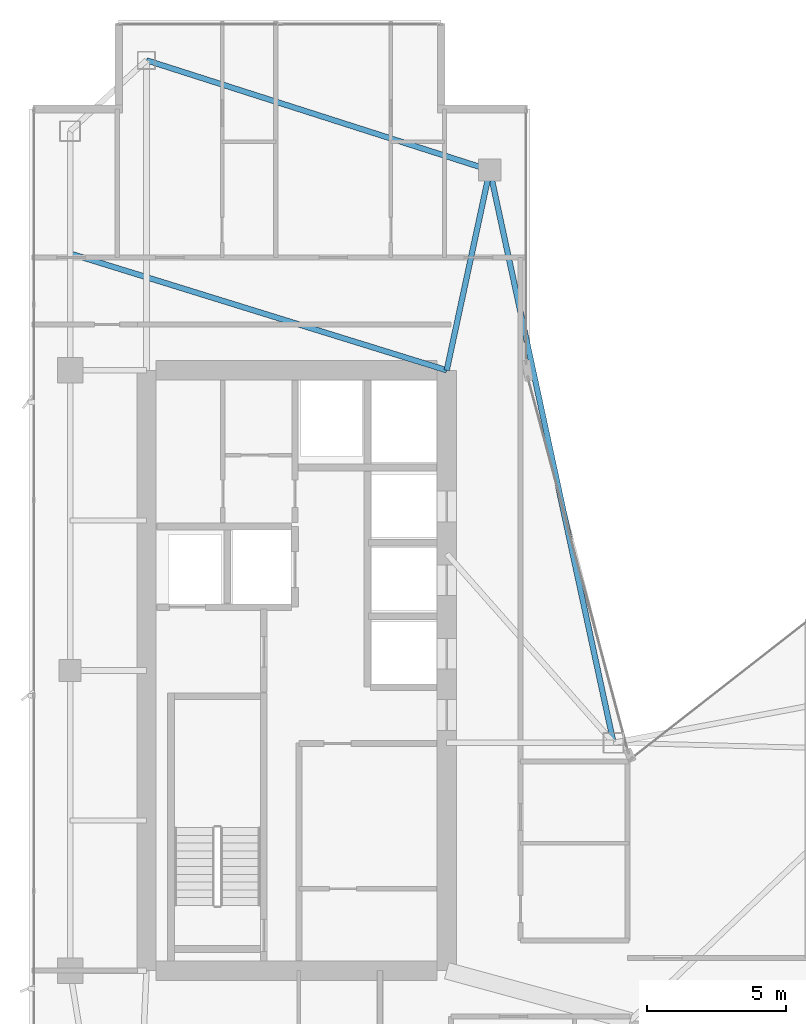
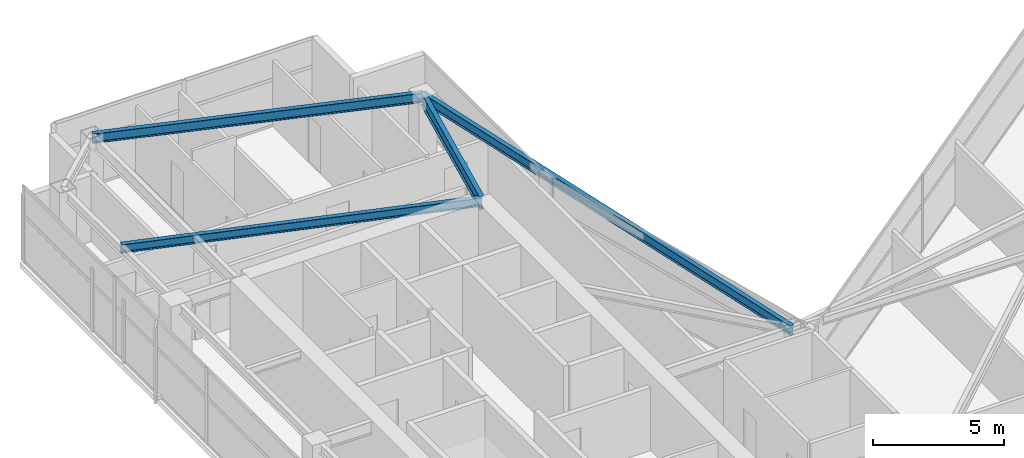
# One storey, part 18 of 29: 4 beams.
"""IFC4 building model written with IfcOpenShell, lengths in metres."""

from ifc_helpers import new_model, si_unit, direction, frame, origin, origin_2d, place, context, subcontext, project, spatial, i_section, extrude, material, material_profile, profile_set, type_object, element, save


model = new_model("IFC4")

# Units and contexts
model_context = context("Model", 3, precision=1e-05, world=origin(), true_north=direction((0.0, 1.0)))
body_context = subcontext(model_context, "Body", "Model", "MODEL_VIEW")
ifc_project = project(units=[si_unit("LENGTHUNIT", "METRE"), si_unit("AREAUNIT", "SQUARE_METRE"), si_unit("VOLUMEUNIT", "CUBIC_METRE"), si_unit("PLANEANGLEUNIT", "RADIAN"), si_unit("MASSUNIT", "GRAM", prefix="KILO")], contexts=[model_context])

# Site, building, storey
site_placement = place(None, origin())
site = spatial("IfcSite", under=ifc_project, at=site_placement, CompositionType="ELEMENT")
building_placement = place(site_placement, origin())
building = spatial("IfcBuilding", under=site, at=building_placement, Name="Calvorn Quay Hotel", CompositionType="ELEMENT")
storey_placement = place(building_placement, frame((0.0, 0.0, 211.0)))
storey = spatial("IfcBuildingStorey", under=building, at=storey_placement, Name="L52", CompositionType="ELEMENT", Elevation=211.0)

# Beams
ifc_material_1 = material(Name="Steel Q355B", Category="steel")
ifc_material_profile_1 = material_profile(ifc_material_1, i_section(OverallWidth=0.199951171875, OverallDepth=0.60009765625, WebThickness=0.010986328125, FlangeThickness=0.01708984375, FilletRadius=0.01806640625, at=origin_2d()), Name="HN600x200x11x17")
ifc_profile_set_1 = profile_set([ifc_material_profile_1], Name="Steel Q355B")
beam_type_1 = type_object("IfcBeamType", Name="BM-GIRD-TYP", PredefinedType="BEAM", material=ifc_profile_set_1)
beam_1_placement = place(storey_placement, frame((16.550048828125, 45.60009765625, 3.239990234375), z_axis=(-0.210457140491, -0.97760308511, 0.0), x_axis=(0.97760308511, -0.210457140491, 0.0)))
element("IfcBeam", 1, at=beam_1_placement, inside=storey, type_object=beam_type_1, Name="Beam BG-L52-W6", PredefinedType="BEAM", context=body_context, shape_type="SweptSolid", body=[
    extrude(i_section(OverallWidth=0.199951171875, OverallDepth=0.60009765625, WebThickness=0.010986328125, FlangeThickness=0.01708984375, FilletRadius=0.01806640625, at=origin_2d()), origin(), (0.0, 0.0, 1.0), 7.365234375),
])
ifc_material_2 = material(Name="Steel Q355B", Category="steel")
ifc_material_profile_2 = material_profile(ifc_material_2, i_section(OverallWidth=0.199951171875, OverallDepth=0.39990234375, WebThickness=0.008056640625, FlangeThickness=0.012939453125, FilletRadius=0.01611328125, at=origin_2d()), Name="HN400x200x8x13")
ifc_profile_set_2 = profile_set([ifc_material_profile_2], Name="Steel Q355B")
beam_type_2 = type_object("IfcBeamType", Name="BM-JOIST-TYP", PredefinedType="JOIST", material=ifc_profile_set_2)
beam_2_placement = place(storey_placement, frame((1.449951171875, 42.60009765625, 3.340087890625), z_axis=(0.955163702122, -0.296078202759, 0.0), x_axis=(0.296078202759, 0.955163702122, 0.0)))
element("IfcBeam", 2, at=beam_2_placement, inside=storey, type_object=beam_type_2, Name="Beam BJ-L52-W2", PredefinedType="JOIST", context=body_context, shape_type="SweptSolid", body=[
    extrude(i_section(OverallWidth=0.199951171875, OverallDepth=0.39990234375, WebThickness=0.008056640625, FlangeThickness=0.012939453125, FilletRadius=0.01611328125, at=origin_2d()), origin(), (0.0, 0.0, 1.0), 14.18603515625),
])
ifc_material_3 = material(Name="Steel Q355B", Category="steel")
ifc_material_profile_3 = material_profile(ifc_material_3, i_section(OverallWidth=0.199951171875, OverallDepth=0.449951171875, WebThickness=0.009033203125, FlangeThickness=0.013916015625, FilletRadius=0.01611328125, at=origin_2d()), Name="HN450x200x9x14")
ifc_profile_set_3 = profile_set([ifc_material_profile_3], Name="Steel Q355B")
beam_type_3 = type_object("IfcBeamType", Name="BM-SPANDREL-Z3", PredefinedType="SPANDREL", material=ifc_profile_set_3)
beam_3_placement = place(storey_placement, frame((4.199951171875, 49.550048828125, 3.31494140625), z_axis=(0.952470702374, -0.304630203885, 0.0), x_axis=(0.304630203885, 0.952470702374, 0.0)))
element("IfcBeam", 3, at=beam_3_placement, inside=storey, type_object=beam_type_3, Name="Beam BSP-L52-W6", PredefinedType="SPANDREL", context=body_context, shape_type="SweptSolid", body=[
    extrude(i_section(OverallWidth=0.199951171875, OverallDepth=0.449951171875, WebThickness=0.009033203125, FlangeThickness=0.013916015625, FilletRadius=0.01611328125, at=origin_2d()), origin(), (0.0, 0.0, 1.0), 12.96630859375),
])
beam_4_placement = place(storey_placement, frame((16.550048828125, 45.60009765625, 3.31494140625), z_axis=(0.211145848376, -0.977454567084, 0.0), x_axis=(0.977454567084, 0.211145848376, 0.0)))
element("IfcBeam", 4, at=beam_4_placement, inside=storey, type_object=beam_type_3, Name="Beam BSP-L52-W7", PredefinedType="SPANDREL", context=body_context, shape_type="SweptSolid", body=[
    extrude(i_section(OverallWidth=0.199951171875, OverallDepth=0.449951171875, WebThickness=0.009033203125, FlangeThickness=0.013916015625, FilletRadius=0.01611328125, at=origin_2d()), origin(), (0.0, 0.0, 1.0), 21.0751953125),
])

save(model, "model.ifc")
